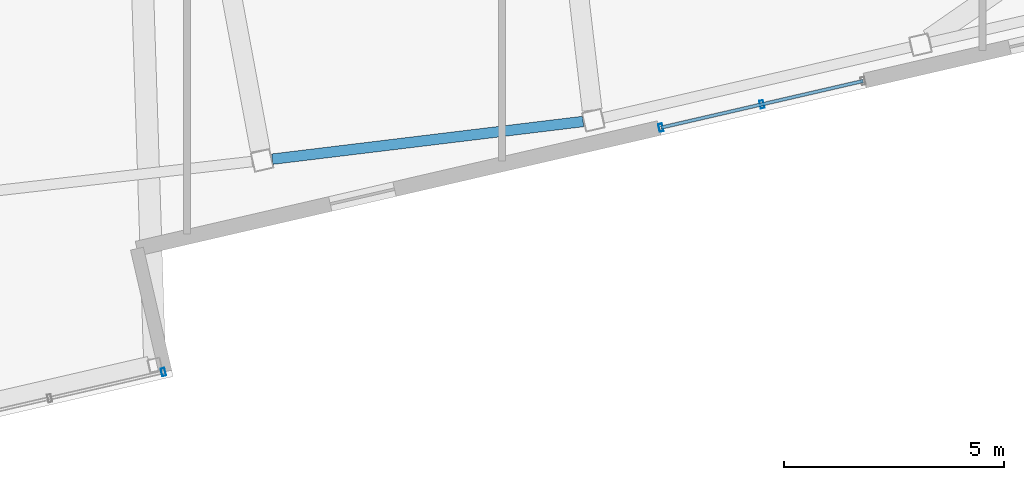
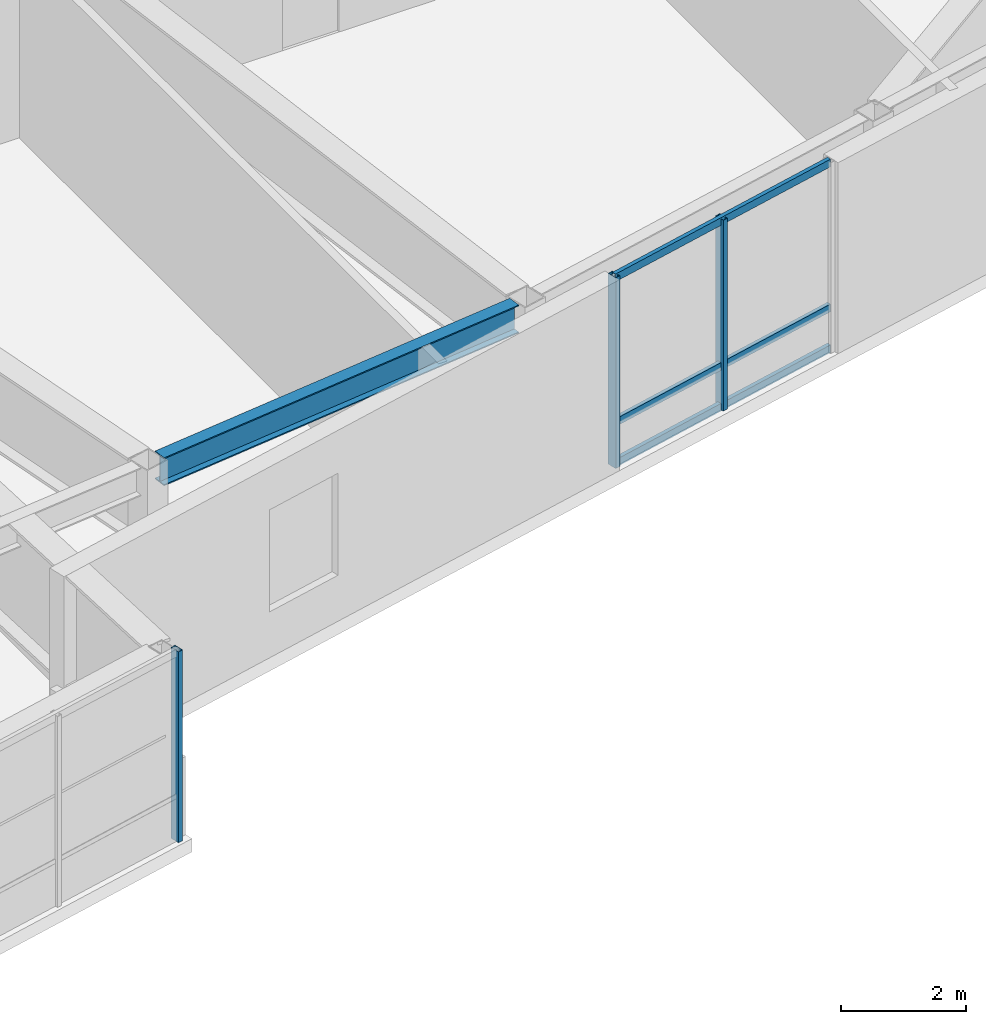
# One storey, part 8 of 23: 6 members, 1 beam, 2 elements without a shape of their own.
"""IFC4 building model written with IfcOpenShell, lengths in metres."""

from ifc_helpers import new_model, si_unit, direction, frame, origin, origin_2d, place, context, subcontext, project, spatial, hollow_rectangle, i_section, extrude, material, layer, layer_set, material_profile, profile_set, type_object, element, aggregate, save


model = new_model("IFC4")

# Units and contexts
model_context = context("Model", 3, precision=1e-05, world=origin(), true_north=direction((0.0, 1.0)))
body_context = subcontext(model_context, "Body", "Model", "MODEL_VIEW")
ifc_project = project(units=[si_unit("LENGTHUNIT", "METRE"), si_unit("AREAUNIT", "SQUARE_METRE"), si_unit("VOLUMEUNIT", "CUBIC_METRE"), si_unit("PLANEANGLEUNIT", "RADIAN"), si_unit("MASSUNIT", "GRAM", prefix="KILO")], contexts=[model_context])

# Site, building, storey
site_placement = place(None, origin())
site = spatial("IfcSite", under=ifc_project, at=site_placement, CompositionType="ELEMENT")
building_placement = place(site_placement, origin())
building = spatial("IfcBuilding", under=site, at=building_placement, Name="Tavrogorsk Clinical Tower", CompositionType="ELEMENT")
storey_placement = place(building_placement, frame((0.0, 0.0, 277.0)))
storey = spatial("IfcBuildingStorey", under=building, at=storey_placement, Name="L64", CompositionType="ELEMENT", Elevation=277.0)

# Curtain wall, members
ifc_material_1 = material(Name="Anodised aluminium and triple IGU glazing", Category="aluminium")
ifc_layer_1 = layer(ifc_material_1, 0.179931640625)
ifc_layer_set_1 = layer_set([ifc_layer_1], Name="Anodised aluminium and triple IGU glazing")
curtain_wall_type_1 = type_object("IfcCurtainWallType", Name="CW3_SouthSlot", PredefinedType="NOTDEFINED", material=ifc_layer_set_1)
curtain_wall_1_placement = place(storey_placement, origin())
curtain_wall_1 = element("IfcCurtainWall", 1, at=curtain_wall_1_placement, inside=storey, type_object=curtain_wall_type_1, Name="L64 Curtain Wall CW-L64-S-SLOT-2", PredefinedType="NOTDEFINED")
ifc_material_2 = material(Name="Anodised aluminium alloy AW-6060", Category="aluminium")
ifc_material_profile_1 = material_profile(ifc_material_2, hollow_rectangle(XDim=0.090087890625, YDim=0.179931640625, WallThickness=0.00634765625, at=origin_2d()), Name="RHS-180x90x6.3")
ifc_profile_set_1 = profile_set([ifc_material_profile_1], Name="Anodised aluminium alloy AW-6060")
member_type_1 = type_object("IfcMemberType", Name="CwMullion_180x90", PredefinedType="MULLION", material=ifc_profile_set_1)
member_1_placement = place(storey_placement, frame((7.80810546875, -22.56591796875, 0.0), z_axis=(0.0, 0.0, 1.0), x_axis=(0.974370057377, 0.224951086434, 0.0)))
member_1 = element("IfcMember", 2, at=member_1_placement, type_object=member_type_1, Name="CW-L64-S-SLOT-2 Mullion 1", PredefinedType="MULLION", context=body_context, shape_type="SweptSolid", body=[
    extrude(hollow_rectangle(XDim=0.090087890625, YDim=0.179931640625, WallThickness=0.00634765625, at=origin_2d()), origin(), (0.0, 0.0, 1.0), 3.739990234375),
])
member_2_placement = place(storey_placement, frame((10.106689453125, -22.03515625, 0.0), z_axis=(0.0, 0.0, 1.0), x_axis=(0.974370057377, 0.224951086434, 0.0)))
member_2 = element("IfcMember", 3, at=member_2_placement, type_object=member_type_1, Name="CW-L64-S-SLOT-2 Mullion 2", PredefinedType="MULLION", context=body_context, shape_type="SweptSolid", body=[
    extrude(hollow_rectangle(XDim=0.090087890625, YDim=0.179931640625, WallThickness=0.00634765625, at=origin_2d()), origin(), (0.0, 0.0, 1.0), 3.739990234375),
])

# Curtain wall, member
ifc_material_3 = material(Name="Anodised aluminium and triple IGU glazing", Category="aluminium")
ifc_layer_2 = layer(ifc_material_3, 0.179931640625)
ifc_layer_set_2 = layer_set([ifc_layer_2], Name="Anodised aluminium and triple IGU glazing")
curtain_wall_type_2 = type_object("IfcCurtainWallType", Name="CW4_DayroomBox", PredefinedType="NOTDEFINED", material=ifc_layer_set_2)
curtain_wall_2_placement = place(storey_placement, origin())
curtain_wall_2 = element("IfcCurtainWall", 4, at=curtain_wall_2_placement, inside=storey, type_object=curtain_wall_type_2, Name="L64 Curtain Wall CW-DRB-09-L64", PredefinedType="NOTDEFINED")
member_3_placement = place(storey_placement, frame((-3.501953125, -28.12255859375, 0.0), z_axis=(0.0, 0.0, 1.0), x_axis=(0.974370055311, 0.224951095379, 0.0)))
member_3 = element("IfcMember", 5, at=member_3_placement, type_object=member_type_1, Name="CW-DRB-09-L64 Mullion 4", PredefinedType="MULLION", context=body_context, shape_type="SweptSolid", body=[
    extrude(hollow_rectangle(XDim=0.090087890625, YDim=0.179931640625, WallThickness=0.00634765625, at=origin_2d()), origin(), (0.0, 0.0, 1.0), 3.739990234375),
])
aggregate(curtain_wall_2, [member_3])

# Member
ifc_material_4 = material(Name="Anodised aluminium alloy AW-6060", Category="aluminium")
ifc_material_profile_2 = material_profile(ifc_material_4, hollow_rectangle(XDim=0.074951171875, YDim=0.14990234375, WallThickness=0.0048828125, at=origin_2d()), Name="RHS-150x75x5")
ifc_profile_set_2 = profile_set([ifc_material_profile_2], Name="Anodised aluminium alloy AW-6060")
member_type_2 = type_object("IfcMemberType", Name="CwTransom_150x75", PredefinedType="USERDEFINED", material=ifc_profile_set_2)
member_4_placement = place(storey_placement, frame((7.80810546875, -22.56591796875, 0.050048828125), z_axis=(0.974372877948, 0.22493886885, 0.0), x_axis=(-0.22493886885, 0.974372877948, 0.0)))
member_4 = element("IfcMember", 6, at=member_4_placement, type_object=member_type_2, Name="CW-L64-S-SLOT-2 Transom 1", ObjectType="TRANSOM", PredefinedType="USERDEFINED", context=body_context, shape_type="SweptSolid", body=[
    extrude(hollow_rectangle(XDim=0.074951171875, YDim=0.14990234375, WallThickness=0.0048828125, at=origin_2d()), origin(), (0.0, 0.0, 1.0), 4.718017578125),
])

member_5_placement = place(storey_placement, frame((7.80810546875, -22.56591796875, 0.85009765625), z_axis=(0.974372877948, 0.22493886885, 0.0), x_axis=(-0.22493886885, 0.974372877948, 0.0)))
member_5 = element("IfcMember", 7, at=member_5_placement, type_object=member_type_2, Name="CW-L64-S-SLOT-2 Transom 2", ObjectType="TRANSOM", PredefinedType="USERDEFINED", context=body_context, shape_type="SweptSolid", body=[
    extrude(hollow_rectangle(XDim=0.074951171875, YDim=0.14990234375, WallThickness=0.0048828125, at=origin_2d()), origin(), (0.0, 0.0, 1.0), 4.718017578125),
])

member_6_placement = place(storey_placement, frame((7.80810546875, -22.56591796875, 3.68994140625), z_axis=(0.974372877948, 0.22493886885, 0.0), x_axis=(-0.22493886885, 0.974372877948, 0.0)))
member_6 = element("IfcMember", 8, at=member_6_placement, type_object=member_type_2, Name="CW-L64-S-SLOT-2 Transom 3", ObjectType="TRANSOM", PredefinedType="USERDEFINED", context=body_context, shape_type="SweptSolid", body=[
    extrude(hollow_rectangle(XDim=0.074951171875, YDim=0.14990234375, WallThickness=0.0048828125, at=origin_2d()), origin(), (0.0, 0.0, 1.0), 4.718017578125),
])

aggregate(curtain_wall_1, [member_1, member_2, member_4, member_5, member_6])

# Beam
ifc_material_5 = material(Name="Structural steel S390", Category="steel")
ifc_material_profile_3 = material_profile(ifc_material_5, i_section(OverallWidth=0.239990234375, OverallDepth=0.550048828125, WebThickness=0.013916015625, FlangeThickness=0.02197265625, at=origin_2d()), Name="B-550x240x14x22")
ifc_profile_set_3 = profile_set([ifc_material_profile_3], Name="Structural steel S390")
beam_type = type_object("IfcBeamType", Name="SpandrelBeam_B550", PredefinedType="SPANDREL", material=ifc_profile_set_3)
beam_placement = place(storey_placement, frame((-1.026123046875, -23.28173828125, 3.465087890625), z_axis=(0.992733657897, 0.120332391639, 0.0), x_axis=(-0.120332391639, 0.992733657897, 0.0)))
element("IfcBeam", 9, at=beam_placement, inside=storey, type_object=beam_type, Name="L64 Perimeter Spandrel S4-S5", PredefinedType="SPANDREL", context=body_context, shape_type="SweptSolid", body=[
    extrude(i_section(OverallWidth=0.239990234375, OverallDepth=0.550048828125, WebThickness=0.013916015625, FlangeThickness=0.02197265625, at=origin_2d()), origin(), (0.0, 0.0, 1.0), 7.119384765625),
])

save(model, "model.ifc")
